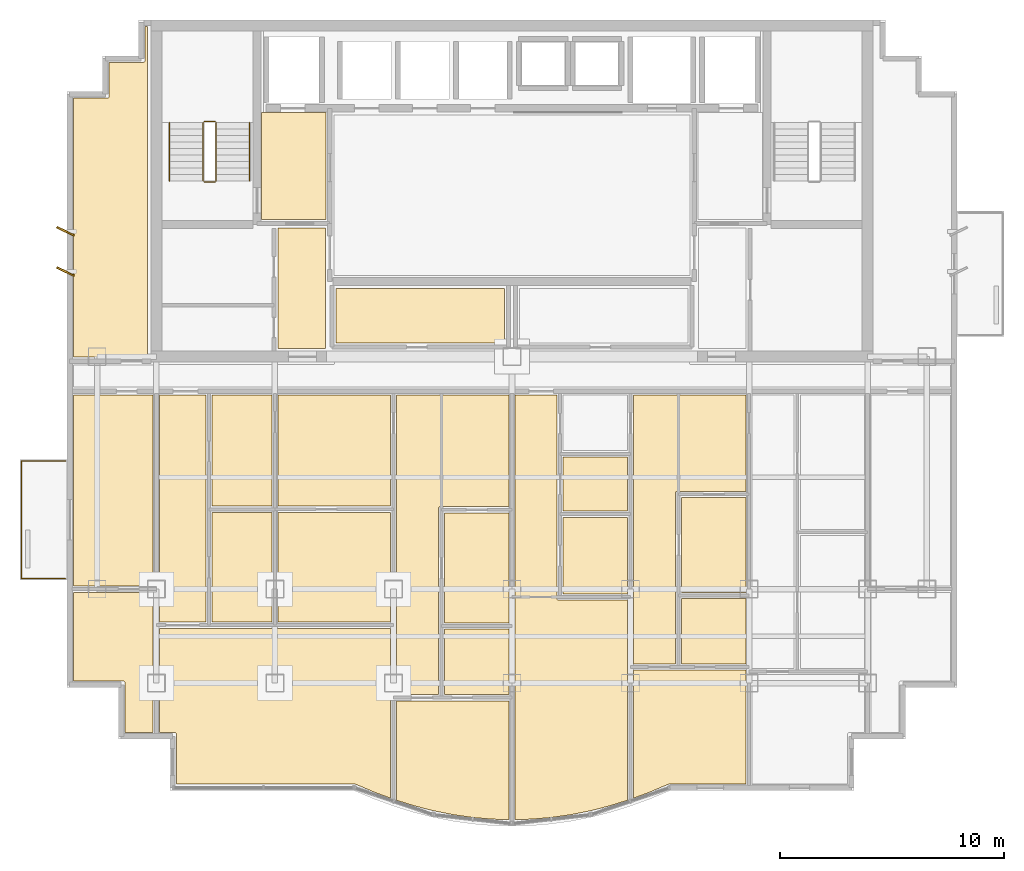
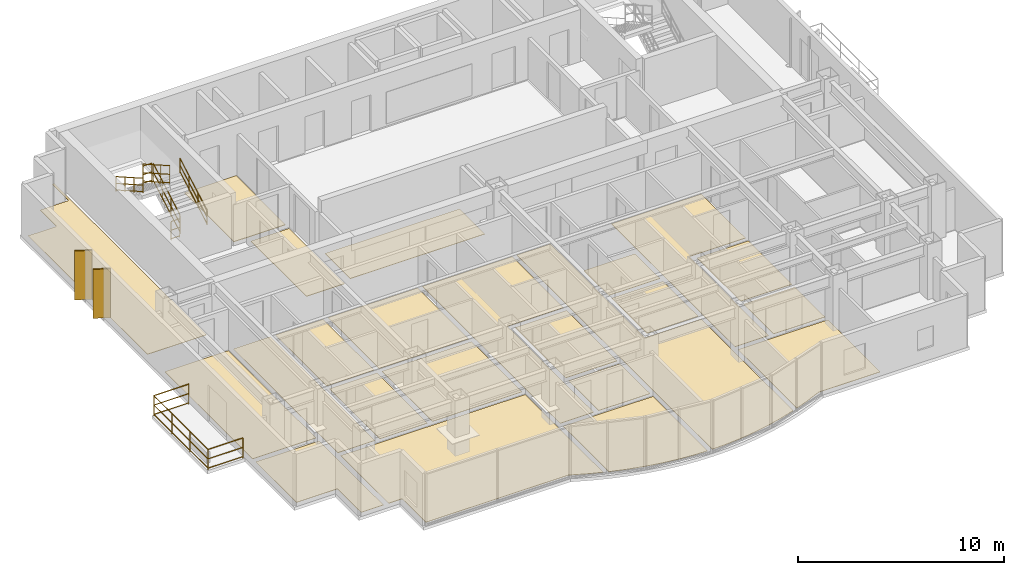
# One storey, part 8 of 9: 23 coverings, 7 railings, 2 shading devices.
"""IFC4 building model written with IfcOpenShell, lengths in metres."""

from ifc_helpers import new_model, si_unit, direction, frame, origin, origin_2d, place, context, subcontext, project, spatial, polyline, rectangle, circle, outline, extrude, source, transform, mapped, material, layer, layer_set, type_object, element, save


model = new_model("IFC4")

# Units and contexts
model_context = context("Model", 3, precision=1e-05, world=origin(), true_north=direction((0.0, 1.0)))
body_context = subcontext(model_context, "Body", "Model", "MODEL_VIEW")
ifc_project = project(units=[si_unit("LENGTHUNIT", "METRE"), si_unit("AREAUNIT", "SQUARE_METRE"), si_unit("VOLUMEUNIT", "CUBIC_METRE"), si_unit("PLANEANGLEUNIT", "RADIAN"), si_unit("MASSUNIT", "GRAM", prefix="KILO")], contexts=[model_context])

# Site, building, storey
site_placement = place(None, origin())
site = spatial("IfcSite", under=ifc_project, at=site_placement, CompositionType="ELEMENT")
building_placement = place(site_placement, origin())
building = spatial("IfcBuilding", under=site, at=building_placement, Name="Qianlan Lanfeng Residences", CompositionType="ELEMENT")
storey_placement = place(building_placement, frame((0.0, 0.0, 213.199951171875)))
storey = spatial("IfcBuildingStorey", under=building, at=storey_placement, Name="L58", CompositionType="ELEMENT", Elevation=213.199951171875)

# Coverings
ifc_material_1 = material(Name="Honed Taitung Granite Stone Flooring", Category="masonry")
ifc_layer_1 = layer(ifc_material_1, 0.030029296875)
ifc_layer_set_1 = layer_set([ifc_layer_1], Name="Honed Taitung Granite Stone Flooring")
covering_type_1 = type_object("IfcCoveringType", Name="FLR-STN-30", PredefinedType="FLOORING", material=ifc_layer_set_1)
covering_1_placement = place(storey_placement, origin())
element("IfcCovering", 1, at=covering_1_placement, inside=storey, type_object=covering_type_1, Name="L58 Firefighting Lift Lobby Floor Finish", PredefinedType="FLOORING", context=body_context, shape_type="SweptSolid", body=[
    extrude(outline(polyline([(15.2900390625, 31.320068359375), (18.179931640625, 31.320068359375), (18.179931640625, 36.110107421875), (15.2900390625, 36.110107421875), (15.2900390625, 31.320068359375)])), origin(), (0.0, 0.0, 1.0), 0.030029296875),
])
covering_2_placement = place(storey_placement, origin())
element("IfcCovering", 2, at=covering_2_placement, inside=storey, type_object=covering_type_1, Name="L58 Lift Lobby Floor Finish", PredefinedType="FLOORING", context=body_context, shape_type="SweptSolid", body=[
    extrude(outline(polyline([(16.030029296875, 25.56005859375), (18.169921875, 25.56005859375), (18.169921875, 30.949951171875), (16.030029296875, 30.949951171875), (16.030029296875, 25.56005859375)])), origin(), (0.0, 0.0, 1.0), 0.030029296875),
])
ifc_material_2 = material(Name="Slip-Resistant Porcelain Tile Flooring")
ifc_layer_2 = layer(ifc_material_2, 0.02001953125)
ifc_layer_set_2 = layer_set([ifc_layer_2], Name="Slip-Resistant Porcelain Tile Flooring")
covering_type_2 = type_object("IfcCoveringType", Name="FLR-TIL-20", PredefinedType="FLOORING", material=ifc_layer_set_2)
covering_3_placement = place(storey_placement, origin())
element("IfcCovering", 3, at=covering_3_placement, inside=storey, type_object=covering_type_2, Name="L58 Kitchen Floor Finish", PredefinedType="FLOORING", context=body_context, shape_type="SweptSolid", body=[
    extrude(outline(polyline([(13.090087890625, 13.330078125), (15.760009765625, 13.330078125), (15.760009765625, 18.22998046875), (13.090087890625, 18.22998046875), (13.090087890625, 13.330078125)])), origin(), (0.0, 0.0, 1.0), 0.02001953125),
])
covering_4_placement = place(storey_placement, origin())
element("IfcCovering", 4, at=covering_4_placement, inside=storey, type_object=covering_type_2, Name="L58 Bathroom Floor Finish", PredefinedType="FLOORING", context=body_context, shape_type="SweptSolid", body=[
    extrude(outline(polyline([(13.090087890625, 18.510009765625), (15.760009765625, 18.510009765625), (15.760009765625, 23.47998046875), (13.090087890625, 23.47998046875), (13.090087890625, 18.510009765625)])), origin(), (0.0, 0.0, 1.0), 0.02001953125),
])
covering_5_placement = place(storey_placement, origin())
element("IfcCovering", 5, at=covering_5_placement, inside=storey, type_object=covering_type_2, Name="L58 En-Suite Bathroom Floor Finish", PredefinedType="FLOORING", context=body_context, shape_type="SweptSolid", body=[
    extrude(outline(polyline([(23.489990234375, 10.087890625), (26.3701171875, 10.087890625), (26.3701171875, 13.008056640625), (23.489990234375, 13.008056640625), (23.489990234375, 10.087890625)])), origin(), (0.0, 0.0, 1.0), 0.02001953125),
])
covering_6_placement = place(storey_placement, origin())
element("IfcCovering", 6, at=covering_6_placement, inside=storey, type_object=covering_type_2, Name="L58 Kitchen Floor Finish", PredefinedType="FLOORING", context=body_context, shape_type="SweptSolid", body=[
    extrude(outline(polyline([(28.7900390625, 18.2900390625), (31.659912109375, 18.2900390625), (31.659912109375, 20.7099609375), (28.7900390625, 20.7099609375), (28.7900390625, 18.2900390625)])), origin(), (0.0, 0.0, 1.0), 0.02001953125),
])
covering_7_placement = place(storey_placement, origin())
element("IfcCovering", 7, at=covering_7_placement, inside=storey, type_object=covering_type_2, Name="L58 En-Suite Bathroom Floor Finish", PredefinedType="FLOORING", context=body_context, shape_type="SweptSolid", body=[
    extrude(outline(polyline([(34.090087890625, 11.4599609375), (36.969970703125, 11.4599609375), (36.969970703125, 14.3798828125), (34.090087890625, 14.3798828125), (34.090087890625, 11.4599609375)])), origin(), (0.0, 0.0, 1.0), 0.02001953125),
])
ifc_material_3 = material(Name="Engineered Smoked Oak Timber Flooring", Category="wood")
ifc_layer_3 = layer(ifc_material_3, 0.02197265625)
ifc_layer_set_3 = layer_set([ifc_layer_3], Name="Engineered Smoked Oak Timber Flooring")
covering_type_3 = type_object("IfcCoveringType", Name="FLR-TIM-22", PredefinedType="FLOORING", material=ifc_layer_set_3)
covering_8_placement = place(storey_placement, origin())
element("IfcCovering", 8, at=covering_8_placement, inside=storey, type_object=covering_type_3, Name="L58 Gallery Salon Floor Finish", PredefinedType="FLOORING", context=body_context, shape_type="SweptSolid", body=[
    extrude(outline(polyline([(18.6298828125, 25.800048828125), (26.169921875, 25.800048828125), (26.169921875, 28.2548828125), (18.6298828125, 28.2548828125), (18.6298828125, 25.800048828125)])), origin(), (0.0, 0.0, 1.0), 0.02197265625),
])
covering_9_placement = place(storey_placement, origin())
element("IfcCovering", 9, at=covering_9_placement, inside=storey, type_object=covering_type_3, Name="L58 Living and Dining Room Floor Finish", PredefinedType="FLOORING", context=body_context, shape_type="SweptSolid", body=[
    extrude(outline(polyline([(10.72998046875, 13.050048828125), (10.72998046875, 8.389892578125), (11.419921875, 8.389892578125), (11.427001953125, 8.389892578125), (11.43408203125, 8.388916015625), (11.43994140625, 8.386962890625), (11.447021484375, 8.385009765625), (11.452880859375, 8.382080078125), (11.458984375, 8.3779296875), (11.464111328125, 8.3740234375), (11.468994140625, 8.368896484375), (11.47412109375, 8.364013671875), (11.47802734375, 8.35888671875), (11.48193359375, 8.35302734375), (11.485107421875, 8.346923828125), (11.487060546875, 8.340087890625), (11.489013671875, 8.333984375), (11.489990234375, 8.326904296875), (11.489990234375, 8.320068359375), (11.489990234375, 6.090087890625), (19.465087890625, 6.090087890625), (19.471923828125, 6.090087890625), (19.47900390625, 6.089111328125), (19.485107421875, 6.0869140625), (19.491943359375, 6.083984375), (20.412109375, 5.695068359375), (21.070068359375, 5.452880859375), (21.070068359375, 13.050048828125), (10.72998046875, 13.050048828125)])), origin(), (0.0, 0.0, 1.0), 0.02197265625),
])
covering_10_placement = place(storey_placement, origin())
element("IfcCovering", 10, at=covering_10_placement, inside=storey, type_object=covering_type_3, Name="L58 Family Sitting Room Floor Finish", PredefinedType="FLOORING", context=body_context, shape_type="SweptSolid", body=[
    extrude(outline(polyline([(10.72998046875, 13.330078125), (12.81005859375, 13.330078125), (12.81005859375, 23.47998046875), (10.72998046875, 23.47998046875), (10.72998046875, 13.330078125)])), origin(), (0.0, 0.0, 1.0), 0.02197265625),
])
covering_11_placement = place(storey_placement, origin())
element("IfcCovering", 11, at=covering_11_placement, inside=storey, type_object=covering_type_3, Name="L58 Yoga Studio Floor Finish", PredefinedType="FLOORING", context=body_context, shape_type="SweptSolid", body=[
    extrude(outline(polyline([(16.0400390625, 13.330078125), (21.06005859375, 13.330078125), (21.06005859375, 18.22998046875), (16.0400390625, 18.22998046875), (16.0400390625, 13.330078125)])), origin(), (0.0, 0.0, 1.0), 0.02197265625),
])
covering_12_placement = place(storey_placement, origin())
element("IfcCovering", 12, at=covering_12_placement, inside=storey, type_object=covering_type_3, Name="L58 Home Office Floor Finish", PredefinedType="FLOORING", context=body_context, shape_type="SweptSolid", body=[
    extrude(outline(polyline([(16.0400390625, 18.510009765625), (21.06005859375, 18.510009765625), (21.06005859375, 23.47998046875), (16.0400390625, 23.47998046875), (16.0400390625, 18.510009765625)])), origin(), (0.0, 0.0, 1.0), 0.02197265625),
])
covering_13_placement = place(storey_placement, origin())
element("IfcCovering", 13, at=covering_13_placement, inside=storey, type_object=covering_type_3, Name="L58 Private Study Floor Finish", PredefinedType="FLOORING", context=body_context, shape_type="SweptSolid", body=[
    extrude(outline(polyline([(23.489990234375, 13.2880859375), (26.3701171875, 13.2880859375), (26.3701171875, 18.208984375), (23.489990234375, 18.208984375), (23.489990234375, 13.2880859375)])), origin(), (0.0, 0.0, 1.0), 0.02197265625),
])
covering_14_placement = place(storey_placement, origin())
element("IfcCovering", 14, at=covering_14_placement, inside=storey, type_object=covering_type_3, Name="L58 Villa Family Sitting Room Floor Finish", PredefinedType="FLOORING", context=body_context, shape_type="SweptSolid", body=[
    extrude(outline(polyline([(21.330078125, 10.087890625), (23.2099609375, 10.087890625), (23.2099609375, 18.4189453125), (23.2099609375, 18.426025390625), (23.2109375, 18.43310546875), (23.212890625, 18.43896484375), (23.215087890625, 18.446044921875), (23.218017578125, 18.451904296875), (23.221923828125, 18.4580078125), (23.22607421875, 18.462890625), (23.23095703125, 18.468017578125), (23.236083984375, 18.472900390625), (23.240966796875, 18.47705078125), (23.2470703125, 18.48095703125), (23.2529296875, 18.48388671875), (23.260009765625, 18.486083984375), (23.26611328125, 18.488037109375), (23.27294921875, 18.489013671875), (23.280029296875, 18.489013671875), (26.3701171875, 18.489013671875), (26.3701171875, 23.47998046875), (21.330078125, 23.47998046875), (21.330078125, 10.087890625)])), origin(), (0.0, 0.0, 1.0), 0.02197265625),
])
covering_15_placement = place(storey_placement, origin())
element("IfcCovering", 15, at=covering_15_placement, inside=storey, type_object=covering_type_3, Name="L58 Master Bedroom Floor Finish", PredefinedType="FLOORING", context=body_context, shape_type="SweptSolid", body=[
    extrude(outline(polyline([(21.330078125, 9.80810546875), (21.3310546875, 5.360107421875), (22.154052734375, 5.10400390625), (23.02392578125, 4.883056640625), (23.89306640625, 4.7109375), (24.762939453125, 4.587890625), (25.631103515625, 4.514892578125), (26.3701171875, 4.493896484375), (26.3701171875, 9.80810546875), (21.330078125, 9.80810546875)])), origin(), (0.0, 0.0, 1.0), 0.02197265625),
])
covering_16_placement = place(storey_placement, origin())
element("IfcCovering", 16, at=covering_16_placement, inside=storey, type_object=covering_type_3, Name="L58 Living and Dining Room Floor Finish", PredefinedType="FLOORING", context=body_context, shape_type="SweptSolid", body=[
    extrude(outline(polyline([(31.669921875, 5.360107421875), (31.669921875, 14.30810546875), (28.580078125, 14.30810546875), (28.572998046875, 14.30810546875), (28.56591796875, 14.30908203125), (28.56005859375, 14.31103515625), (28.552978515625, 14.31298828125), (28.547119140625, 14.31591796875), (28.541015625, 14.320068359375), (28.535888671875, 14.323974609375), (28.531005859375, 14.3291015625), (28.52587890625, 14.333984375), (28.52197265625, 14.339111328125), (28.51806640625, 14.344970703125), (28.514892578125, 14.35107421875), (28.512939453125, 14.35791015625), (28.510986328125, 14.364013671875), (28.510009765625, 14.37109375), (28.510009765625, 14.3779296875), (28.510009765625, 23.47998046875), (26.6298828125, 23.47998046875), (26.6298828125, 4.493896484375), (27.368896484375, 4.514892578125), (28.237060546875, 4.587890625), (29.10693359375, 4.7109375), (29.97607421875, 4.883056640625), (30.845947265625, 5.10400390625), (31.669921875, 5.360107421875)])), origin(), (0.0, 0.0, 1.0), 0.02197265625),
])
covering_17_placement = place(storey_placement, origin())
element("IfcCovering", 17, at=covering_17_placement, inside=storey, type_object=covering_type_3, Name="L58 Private Study Floor Finish", PredefinedType="FLOORING", context=body_context, shape_type="SweptSolid", body=[
    extrude(outline(polyline([(28.7900390625, 18.010009765625), (28.7900390625, 14.587890625), (31.669921875, 14.587890625), (31.669921875, 18.010009765625), (28.7900390625, 18.010009765625)])), origin(), (0.0, 0.0, 1.0), 0.02197265625),
])
covering_18_placement = place(storey_placement, origin())
element("IfcCovering", 18, at=covering_18_placement, inside=storey, type_object=covering_type_3, Name="L58 Private Study Floor Finish", PredefinedType="FLOORING", context=body_context, shape_type="SweptSolid", body=[
    extrude(outline(polyline([(34.090087890625, 14.659912109375), (36.969970703125, 14.659912109375), (36.969970703125, 18.89501953125), (34.090087890625, 18.89501953125), (34.090087890625, 14.659912109375)])), origin(), (0.0, 0.0, 1.0), 0.02197265625),
])
covering_19_placement = place(storey_placement, origin())
element("IfcCovering", 19, at=covering_19_placement, inside=storey, type_object=covering_type_3, Name="L58 Villa Family Sitting Room Floor Finish", PredefinedType="FLOORING", context=body_context, shape_type="SweptSolid", body=[
    extrude(outline(polyline([(31.929931640625, 11.4599609375), (33.81005859375, 11.4599609375), (33.81005859375, 19.10498046875), (33.81005859375, 19.112060546875), (33.81103515625, 19.118896484375), (33.81298828125, 19.125), (33.81494140625, 19.132080078125), (33.818115234375, 19.137939453125), (33.822021484375, 19.14404296875), (33.825927734375, 19.14892578125), (33.8310546875, 19.154052734375), (33.8359375, 19.158935546875), (33.841064453125, 19.1630859375), (33.846923828125, 19.1669921875), (33.85302734375, 19.169921875), (33.860107421875, 19.172119140625), (33.865966796875, 19.174072265625), (33.873046875, 19.175048828125), (33.8798828125, 19.175048828125), (36.969970703125, 19.175048828125), (36.969970703125, 23.47998046875), (31.929931640625, 23.47998046875), (31.929931640625, 11.4599609375)])), origin(), (0.0, 0.0, 1.0), 0.02197265625),
])
covering_20_placement = place(storey_placement, origin())
element("IfcCovering", 20, at=covering_20_placement, inside=storey, type_object=covering_type_3, Name="L58 Master Bedroom Floor Finish", PredefinedType="FLOORING", context=body_context, shape_type="SweptSolid", body=[
    extrude(outline(polyline([(31.929931640625, 11.179931640625), (31.929931640625, 5.452880859375), (32.587890625, 5.695068359375), (33.508056640625, 6.083984375), (33.514892578125, 6.0869140625), (33.52099609375, 6.089111328125), (33.528076171875, 6.090087890625), (33.534912109375, 6.090087890625), (36.969970703125, 6.090087890625), (36.969970703125, 11.179931640625), (31.929931640625, 11.179931640625)])), origin(), (0.0, 0.0, 1.0), 0.02197265625),
])
covering_21_placement = place(storey_placement, origin())
element("IfcCovering", 21, at=covering_21_placement, inside=storey, type_object=covering_type_3, Name="L58 Sunroom Floor Finish", PredefinedType="FLOORING", context=body_context, shape_type="SweptSolid", body=[
    extrude(outline(polyline([(10.43994140625, 14.64990234375), (6.889892578125, 14.64990234375), (6.889892578125, 10.68994140625), (9.1201171875, 10.68994140625), (9.126953125, 10.68994140625), (9.134033203125, 10.68896484375), (9.139892578125, 10.68701171875), (9.14697265625, 10.68505859375), (9.153076171875, 10.681884765625), (9.158935546875, 10.677978515625), (9.1640625, 10.674072265625), (9.1689453125, 10.6689453125), (9.174072265625, 10.6640625), (9.177978515625, 10.658935546875), (9.181884765625, 10.653076171875), (9.18505859375, 10.64697265625), (9.18701171875, 10.639892578125), (9.18896484375, 10.634033203125), (9.18994140625, 10.626953125), (9.18994140625, 10.6201171875), (9.18994140625, 8.389892578125), (10.43994140625, 8.389892578125), (10.43994140625, 14.64990234375)])), origin(), (0.0, 0.0, 1.0), 0.02197265625),
])
covering_22_placement = place(storey_placement, origin())
element("IfcCovering", 22, at=covering_22_placement, inside=storey, type_object=covering_type_3, Name="L58 Family Sitting Room Floor Finish", PredefinedType="FLOORING", context=body_context, shape_type="SweptSolid", body=[
    extrude(outline(polyline([(10.43994140625, 23.47998046875), (6.889892578125, 23.47998046875), (6.889892578125, 14.949951171875), (10.43994140625, 14.949951171875), (10.43994140625, 23.47998046875)])), origin(), (0.0, 0.0, 1.0), 0.02197265625),
])
covering_23_placement = place(storey_placement, origin())
element("IfcCovering", 23, at=covering_23_placement, inside=storey, type_object=covering_type_3, Name="L58 Yoga Studio Floor Finish", PredefinedType="FLOORING", context=body_context, shape_type="SweptSolid", body=[
    extrude(outline(polyline([(10.199951171875, 25.169921875), (10.199951171875, 39.9599609375), (10.090087890625, 39.9599609375), (10.090087890625, 38.429931640625), (10.090087890625, 38.423095703125), (10.089111328125, 38.416015625), (10.0869140625, 38.409912109375), (10.0849609375, 38.403076171875), (10.08203125, 38.39697265625), (10.077880859375, 38.39111328125), (10.073974609375, 38.385986328125), (10.069091796875, 38.381103515625), (10.06396484375, 38.3759765625), (10.05908203125, 38.3720703125), (10.052978515625, 38.367919921875), (10.047119140625, 38.364990234375), (10.0400390625, 38.363037109375), (10.033935546875, 38.361083984375), (10.027099609375, 38.360107421875), (10.02001953125, 38.360107421875), (8.489990234375, 38.360107421875), (8.489990234375, 36.830078125), (8.489990234375, 36.822998046875), (8.489013671875, 36.81591796875), (8.487060546875, 36.81005859375), (8.485107421875, 36.802978515625), (8.48193359375, 36.797119140625), (8.47802734375, 36.791015625), (8.47412109375, 36.785888671875), (8.468994140625, 36.781005859375), (8.464111328125, 36.77587890625), (8.458984375, 36.77197265625), (8.452880859375, 36.76806640625), (8.447021484375, 36.764892578125), (8.43994140625, 36.762939453125), (8.43408203125, 36.760986328125), (8.427001953125, 36.760009765625), (8.419921875, 36.760009765625), (6.889892578125, 36.760009765625), (6.889892578125, 25.169921875), (10.199951171875, 25.169921875)])), origin(), (0.0, 0.0, 1.0), 0.02197265625),
])

# Railings
ifc_material_4 = material(Name="Anodised Bronze Aluminium and Laminated Glass Guard Balustrade", Category="aluminium")
railing_type_1 = type_object("IfcRailingType", Name="GR-EXT-1220", PredefinedType="BALUSTRADE", material=ifc_material_4)
railing_1_placement = place(storey_placement, frame((6.530029296875, 15.27001953125, 0.0)))
element("IfcRailing", 24, at=railing_1_placement, inside=storey, type_object=railing_type_1, Name="L58 Terrace Safety Guard GR-L58-WB-S", PredefinedType="BALUSTRADE", context=body_context, shape_type="SweptSolid", body=[
    extrude(circle(Radius=0.02490234375, at=origin_2d()), frame((0.0, 0.0, 0.0849609375), z_axis=(-1.0, 0.0, 0.0), x_axis=(0.0, -1.0, 0.0)), (0.0, 0.0, 1.0), 1.9599609375),
    extrude(circle(Radius=0.02490234375, at=origin_2d()), frame((0.0, 0.0, 0.63427734375), z_axis=(-1.0, 0.0, 0.0), x_axis=(0.0, -1.0, 0.0)), (0.0, 0.0, 1.0), 1.9599609375),
    extrude(circle(Radius=0.02490234375, at=origin_2d()), frame((0.0, 0.0, 1.19482421875), z_axis=(-1.0, 0.0, 0.0), x_axis=(0.0, -1.0, 0.0)), (0.0, 0.0, 1.0), 1.9599609375),
    extrude(circle(Radius=0.02490234375, at=origin_2d()), frame((-1.9599609375, 0.0, 0.0849609375), z_axis=(0.0, 1.0, 0.0), x_axis=(-1.0, 0.0, 0.0)), (0.0, 0.0, 1.0), 5.260009765625),
    extrude(circle(Radius=0.02490234375, at=origin_2d()), frame((-1.9599609375, 0.0, 0.63427734375), z_axis=(0.0, 1.0, 0.0), x_axis=(-1.0, 0.0, 0.0)), (0.0, 0.0, 1.0), 5.260009765625),
    extrude(circle(Radius=0.02490234375, at=origin_2d()), frame((-1.9599609375, 0.0, 1.19482421875), z_axis=(0.0, 1.0, 0.0), x_axis=(-1.0, 0.0, 0.0)), (0.0, 0.0, 1.0), 5.260009765625),
    extrude(circle(Radius=0.02490234375, at=origin_2d()), frame((-1.9599609375, 5.260009765625, 0.0849609375), z_axis=(1.0, 0.0, 0.0), x_axis=(0.0, 1.0, 0.0)), (0.0, 0.0, 1.0), 1.9599609375),
    extrude(circle(Radius=0.02490234375, at=origin_2d()), frame((-1.9599609375, 5.260009765625, 0.63427734375), z_axis=(1.0, 0.0, 0.0), x_axis=(0.0, 1.0, 0.0)), (0.0, 0.0, 1.0), 1.9599609375),
    extrude(circle(Radius=0.02490234375, at=origin_2d()), frame((-1.9599609375, 5.260009765625, 1.19482421875), z_axis=(1.0, 0.0, 0.0), x_axis=(0.0, 1.0, 0.0)), (0.0, 0.0, 1.0), 1.9599609375),
    extrude(circle(Radius=0.02099609375, at=origin_2d()), origin(), (0.0, 0.0, 1.0), 1.169921875),
    extrude(circle(Radius=0.02099609375, at=origin_2d()), frame((-1.9599609375, 0.0, 0.0)), (0.0, 0.0, 1.0), 1.169921875),
    extrude(circle(Radius=0.02099609375, at=origin_2d()), frame((-1.9599609375, 1.75341796875, 0.0)), (0.0, 0.0, 1.0), 1.169921875),
    extrude(circle(Radius=0.02099609375, at=origin_2d()), frame((-1.9599609375, 3.506591796875, 0.0)), (0.0, 0.0, 1.0), 1.169921875),
    extrude(circle(Radius=0.02099609375, at=origin_2d()), frame((-1.9599609375, 5.260009765625, 0.0)), (0.0, 0.0, 1.0), 1.169921875),
    extrude(circle(Radius=0.02099609375, at=origin_2d()), frame((0.0, 5.260009765625, 0.0)), (0.0, 0.0, 1.0), 1.169921875),
])
ifc_material_5 = material(Name="Painted Galvanised Steel Guardrail", Category="steel")
railing_type_2 = type_object("IfcRailingType", Name="GR-ST-1120", PredefinedType="GUARDRAIL", material=ifc_material_5)
railing_2_placement = place(storey_placement, frame((13.27001953125, 33.050048828125, 0.1650390625)))
element("IfcRailing", 25, at=railing_2_placement, inside=storey, type_object=railing_type_2, Name="L58 ST-1 stair guard 1", PredefinedType="GUARDRAIL", context=body_context, shape_type="SweptSolid", body=[
    extrude(circle(Radius=0.02392578125, at=origin_2d()), frame((0.0, 0.0, 0.083984375), z_axis=(0.0, 0.869137319866, 0.494570843475), x_axis=(-1.0, 0.0, 0.0)), (0.0, 0.0, 1.0), 3.0029296875),
    extrude(circle(Radius=0.02392578125, at=origin_2d()), frame((0.0, 0.0, 0.58251953125), z_axis=(0.0, 0.869137319866, 0.494570843475), x_axis=(-1.0, 0.0, 0.0)), (0.0, 0.0, 1.0), 3.0029296875),
    extrude(circle(Radius=0.02392578125, at=origin_2d()), frame((0.0, 0.0, 1.09619140625), z_axis=(0.0, 0.869137319866, 0.494570843475), x_axis=(-1.0, 0.0, 0.0)), (0.0, 0.0, 1.0), 3.0029296875),
    extrude(circle(Radius=0.02099609375, at=origin_2d()), origin(), (0.0, 0.0, 1.0), 1.072021484375),
    extrude(circle(Radius=0.02099609375, at=origin_2d()), frame((0.0, 0.869873046875, 0.4951171875)), (0.0, 0.0, 1.0), 1.072021484375),
    extrude(circle(Radius=0.02099609375, at=origin_2d()), frame((0.0, 1.739990234375, 0.989990234375)), (0.0, 0.0, 1.0), 1.072021484375),
    extrude(circle(Radius=0.02099609375, at=origin_2d()), frame((0.0, 2.60986328125, 1.485107421875)), (0.0, 0.0, 1.0), 1.072021484375),
])
railing_3_placement = place(storey_placement, frame((13.219970703125, 35.7099609375, 1.650146484375)))
element("IfcRailing", 26, at=railing_3_placement, inside=storey, type_object=railing_type_2, Name="L58 ST-1 stair guard 2", PredefinedType="GUARDRAIL", context=body_context, shape_type="SweptSolid", body=[
    extrude(circle(Radius=0.02392578125, at=origin_2d()), frame((0.0, 0.0, 0.083984375), z_axis=(-1.0, 0.0, 0.0), x_axis=(0.0, -1.0, 0.0)), (0.0, 0.0, 1.0), 0.47998046875),
    extrude(circle(Radius=0.02392578125, at=origin_2d()), frame((0.0, 0.0, 0.58251953125), z_axis=(-1.0, 0.0, 0.0), x_axis=(0.0, -1.0, 0.0)), (0.0, 0.0, 1.0), 0.47998046875),
    extrude(circle(Radius=0.02392578125, at=origin_2d()), frame((0.0, 0.0, 1.09619140625), z_axis=(-1.0, 0.0, 0.0), x_axis=(0.0, -1.0, 0.0)), (0.0, 0.0, 1.0), 0.47998046875),
    extrude(circle(Radius=0.02099609375, at=origin_2d()), origin(), (0.0, 0.0, 1.0), 1.072021484375),
    extrude(circle(Radius=0.02099609375, at=origin_2d()), frame((-0.47998046875, 0.0, 0.0)), (0.0, 0.0, 1.0), 1.072021484375),
])
railing_4_placement = place(storey_placement, frame((12.68994140625, 35.659912109375, 1.81494140625)))
element("IfcRailing", 27, at=railing_4_placement, inside=storey, type_object=railing_type_2, Name="L58 ST-1 stair guard 3", PredefinedType="GUARDRAIL", context=body_context, shape_type="SweptSolid", body=[
    extrude(circle(Radius=0.02392578125, at=origin_2d()), frame((0.0, 0.0, 0.083984375), z_axis=(0.0, -0.869137319866, 0.494570843475), x_axis=(1.0, 0.0, 0.0)), (0.0, 0.0, 1.0), 3.0029296875),
    extrude(circle(Radius=0.02392578125, at=origin_2d()), frame((0.0, 0.0, 0.58251953125), z_axis=(0.0, -0.869137319866, 0.494570843475), x_axis=(1.0, 0.0, 0.0)), (0.0, 0.0, 1.0), 3.0029296875),
    extrude(circle(Radius=0.02392578125, at=origin_2d()), frame((0.0, 0.0, 1.09619140625), z_axis=(0.0, -0.869137319866, 0.494570843475), x_axis=(1.0, 0.0, 0.0)), (0.0, 0.0, 1.0), 3.0029296875),
    extrude(circle(Radius=0.02099609375, at=origin_2d()), origin(), (0.0, 0.0, 1.0), 1.072021484375),
    extrude(circle(Radius=0.02099609375, at=origin_2d()), frame((0.0, -0.869873046875, 0.4951171875)), (0.0, 0.0, 1.0), 1.072021484375),
    extrude(circle(Radius=0.02099609375, at=origin_2d()), frame((0.0, -1.739990234375, 0.989990234375)), (0.0, 0.0, 1.0), 1.072021484375),
    extrude(circle(Radius=0.02099609375, at=origin_2d()), frame((0.0, -2.60986328125, 1.485107421875)), (0.0, 0.0, 1.0), 1.072021484375),
])
railing_5_placement = place(storey_placement, frame((13.219970703125, 33.0, 0.0)))
element("IfcRailing", 28, at=railing_5_placement, inside=storey, type_object=railing_type_2, Name="L58 ST-1 stair guard 4", PredefinedType="GUARDRAIL", context=body_context, shape_type="SweptSolid", body=[
    extrude(circle(Radius=0.02392578125, at=origin_2d()), frame((0.0, 0.0, 0.083984375), z_axis=(-1.0, 0.0, 0.0), x_axis=(0.0, -1.0, 0.0)), (0.0, 0.0, 1.0), 0.47998046875),
    extrude(circle(Radius=0.02392578125, at=origin_2d()), frame((0.0, 0.0, 0.58251953125), z_axis=(-1.0, 0.0, 0.0), x_axis=(0.0, -1.0, 0.0)), (0.0, 0.0, 1.0), 0.47998046875),
    extrude(circle(Radius=0.02392578125, at=origin_2d()), frame((0.0, 0.0, 1.09619140625), z_axis=(-1.0, 0.0, 0.0), x_axis=(0.0, -1.0, 0.0)), (0.0, 0.0, 1.0), 0.47998046875),
    extrude(circle(Radius=0.02099609375, at=origin_2d()), origin(), (0.0, 0.0, 1.0), 1.072021484375),
    extrude(circle(Radius=0.02099609375, at=origin_2d()), frame((-0.47998046875, 0.0, 0.0)), (0.0, 0.0, 1.0), 1.072021484375),
])
ifc_material_6 = material(Name="Brushed Stainless Steel Handrail", Category="steel")
railing_type_3 = type_object("IfcRailingType", Name="HR-ST-920", PredefinedType="HANDRAIL", material=ifc_material_6)
railing_6_placement = place(storey_placement, frame((14.77001953125, 33.050048828125, 0.1650390625)))
element("IfcRailing", 29, at=railing_6_placement, inside=storey, type_object=railing_type_3, Name="L58 ST-1 stair handrail 1", PredefinedType="HANDRAIL", context=body_context, shape_type="SweptSolid", body=[
    extrude(circle(Radius=0.02392578125, at=origin_2d()), frame((0.0, 0.0, 0.083984375), z_axis=(0.0, 0.869137319866, 0.494570843475), x_axis=(-1.0, 0.0, 0.0)), (0.0, 0.0, 1.0), 3.0029296875),
    extrude(circle(Radius=0.02392578125, at=origin_2d()), frame((0.0, 0.0, 0.468017578125), z_axis=(0.0, 0.869137319866, 0.494570843475), x_axis=(-1.0, 0.0, 0.0)), (0.0, 0.0, 1.0), 3.0029296875),
    extrude(circle(Radius=0.02392578125, at=origin_2d()), frame((0.0, 0.0, 0.8759765625), z_axis=(0.0, 0.869137319866, 0.494570843475), x_axis=(-1.0, 0.0, 0.0)), (0.0, 0.0, 1.0), 3.0029296875),
    extrude(circle(Radius=0.02099609375, at=origin_2d()), origin(), (0.0, 0.0, 1.0), 0.851806640625),
    extrude(circle(Radius=0.02099609375, at=origin_2d()), frame((0.0, 0.869873046875, 0.4951171875)), (0.0, 0.0, 1.0), 0.851806640625),
    extrude(circle(Radius=0.02099609375, at=origin_2d()), frame((0.0, 1.739990234375, 0.989990234375)), (0.0, 0.0, 1.0), 0.851806640625),
    extrude(circle(Radius=0.02099609375, at=origin_2d()), frame((0.0, 2.60986328125, 1.485107421875)), (0.0, 0.0, 1.0), 0.851806640625),
])
railing_7_placement = place(storey_placement, frame((11.18994140625, 35.659912109375, 1.81494140625)))
element("IfcRailing", 30, at=railing_7_placement, inside=storey, type_object=railing_type_3, Name="L58 ST-1 stair handrail 2", PredefinedType="HANDRAIL", context=body_context, shape_type="SweptSolid", body=[
    extrude(circle(Radius=0.02392578125, at=origin_2d()), frame((0.0, 0.0, 0.083984375), z_axis=(0.0, -0.869137319866, 0.494570843475), x_axis=(1.0, 0.0, 0.0)), (0.0, 0.0, 1.0), 3.0029296875),
    extrude(circle(Radius=0.02392578125, at=origin_2d()), frame((0.0, 0.0, 0.468017578125), z_axis=(0.0, -0.869137319866, 0.494570843475), x_axis=(1.0, 0.0, 0.0)), (0.0, 0.0, 1.0), 3.0029296875),
    extrude(circle(Radius=0.02392578125, at=origin_2d()), frame((0.0, 0.0, 0.8759765625), z_axis=(0.0, -0.869137319866, 0.494570843475), x_axis=(1.0, 0.0, 0.0)), (0.0, 0.0, 1.0), 3.0029296875),
    extrude(circle(Radius=0.02099609375, at=origin_2d()), origin(), (0.0, 0.0, 1.0), 0.851806640625),
    extrude(circle(Radius=0.02099609375, at=origin_2d()), frame((0.0, -0.869873046875, 0.4951171875)), (0.0, 0.0, 1.0), 0.851806640625),
    extrude(circle(Radius=0.02099609375, at=origin_2d()), frame((0.0, -1.739990234375, 0.989990234375)), (0.0, 0.0, 1.0), 0.851806640625),
    extrude(circle(Radius=0.02099609375, at=origin_2d()), frame((0.0, -2.60986328125, 1.485107421875)), (0.0, 0.0, 1.0), 0.851806640625),
])

# Shading devices
ifc_material_7 = material(Name="Anodised Bronze Aluminium Solar Fin", Category="aluminium")
shading_device_type = type_object("IfcShadingDeviceType", Name="FIN-BRZ-850", PredefinedType="SHUTTER", material=ifc_material_7)
shared_shape = source(origin(), body_context, "Body", "SweptSolid", [
    extrude(rectangle(XDim=0.85009765625, YDim=0.080078125, at=origin_2d()), origin(), (0.0, 0.0, 1.0), 2.89990234375),
])
for number, where, z_axis, x_axis, name in (
    (31, (6.530029296875, 29.0, 0.0), (0.0, 0.0, 1.0), (0.898794046299, -0.438371146789, 0.0), "L58 Raked Bronze Solar Fin W1"),
    (32, (6.530029296875, 30.800048828125, 0.0), (0.0, 0.0, 1.0), (0.898794046299, -0.438371146789, 0.0), "L58 Raked Bronze Solar Fin W2"),
):
    element("IfcShadingDevice", number, at=place(storey_placement, frame(where, z_axis=z_axis, x_axis=x_axis)), inside=storey, type_object=shading_device_type, Name=name, PredefinedType="SHUTTER", context=body_context, shape_type="MappedRepresentation", body=[
        mapped(shared_shape, transform((0.0, 0.0, 0.0), scale=1.0)),
    ])

save(model, "model.ifc")
